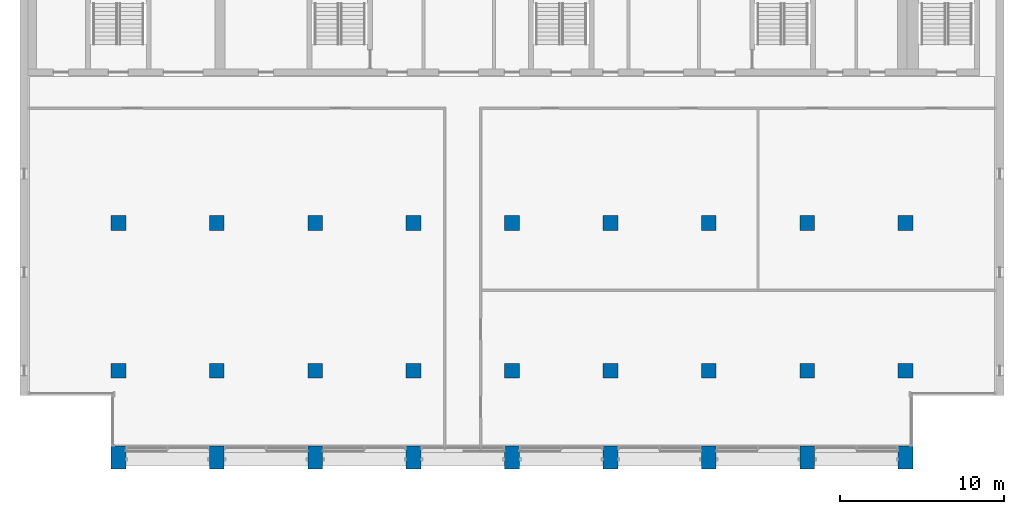
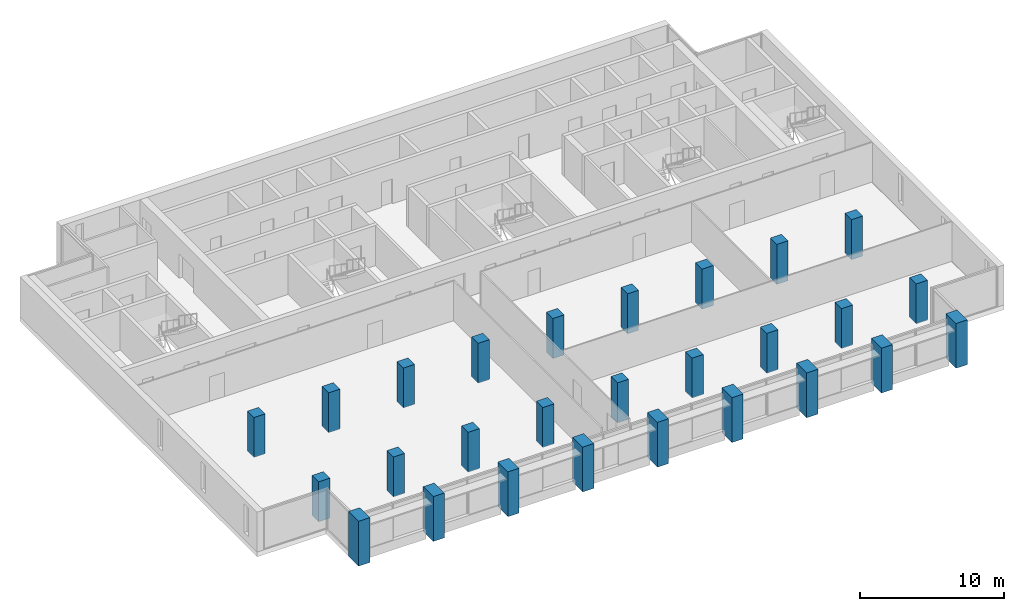
# One storey, part 1 of 14: 27 columns.
"""IFC4 building model written with IfcOpenShell, lengths in metres."""

from ifc_helpers import new_model, si_unit, direction, frame, origin, origin_2d, place, context, subcontext, project, spatial, rectangle, extrude, material, material_profile, profile_set, type_object, element, save


model = new_model("IFC4")

# Units and contexts
model_context = context("Model", 3, precision=1e-05, world=origin(), true_north=direction((0.0, 1.0)))
body_context = subcontext(model_context, "Body", "Model", "MODEL_VIEW")
ifc_project = project(units=[si_unit("LENGTHUNIT", "METRE"), si_unit("AREAUNIT", "SQUARE_METRE"), si_unit("VOLUMEUNIT", "CUBIC_METRE"), si_unit("PLANEANGLEUNIT", "RADIAN"), si_unit("MASSUNIT", "GRAM", prefix="KILO")], contexts=[model_context])

# Site, building, storey
site_placement = place(None, origin())
site = spatial("IfcSite", under=ifc_project, at=site_placement, CompositionType="ELEMENT")
building_placement = place(site_placement, origin())
building = spatial("IfcBuilding", under=site, at=building_placement, Name="Calvaro Tower", CompositionType="ELEMENT")
storey_placement = place(building_placement, frame((0.0, 0.0, 243.14990234375)))
storey = spatial("IfcBuildingStorey", under=building, at=storey_placement, Name="L61", CompositionType="ELEMENT", Elevation=243.14990234375)

# Columns
ifc_material_1 = material(Name="Concrete C40/50", Category="concrete")
ifc_material_profile_1 = material_profile(ifc_material_1, rectangle(XDim=0.89990234375, YDim=0.89990234375, at=origin_2d()), Name="RC 900x900")
ifc_profile_set_1 = profile_set([ifc_material_profile_1], Name="Concrete C40/50")
column_type_1 = type_object("IfcColumnType", Name="Column 900x900 C40/50", PredefinedType="COLUMN", material=ifc_profile_set_1)
for number, where, z_axis, x_axis, name in (
    (1, (12.0, 10.0, 0.0), (0.0, 0.0, 1.0), (1.0, 0.0, 0.0), "Column 3B"),
    (2, (12.0, 19.0, 0.0), (0.0, 0.0, 1.0), (1.0, 0.0, 0.0), "Column 3C"),
    (3, (18.0, 10.0, 0.0), (0.0, 0.0, 1.0), (1.0, 0.0, 0.0), "Column 4B"),
    (4, (18.0, 19.0, 0.0), (0.0, 0.0, 1.0), (1.0, 0.0, 0.0), "Column 4C"),
    (5, (24.0, 10.0, 0.0), (0.0, 0.0, 1.0), (1.0, 0.0, 0.0), "Column 5B"),
    (6, (24.0, 19.0, 0.0), (0.0, 0.0, 1.0), (1.0, 0.0, 0.0), "Column 5C"),
    (7, (30.0, 10.0, 0.0), (0.0, 0.0, 1.0), (1.0, 0.0, 0.0), "Column 6B"),
    (8, (30.0, 19.0, 0.0), (0.0, 0.0, 1.0), (1.0, 0.0, 0.0), "Column 6C"),
    (9, (36.0, 10.0, 0.0), (0.0, 0.0, 1.0), (1.0, 0.0, 0.0), "Column 7B"),
    (10, (36.0, 19.0, 0.0), (0.0, 0.0, 1.0), (1.0, 0.0, 0.0), "Column 7C"),
    (11, (42.0, 10.0, 0.0), (0.0, 0.0, 1.0), (1.0, 0.0, 0.0), "Column 8B"),
    (12, (42.0, 19.0, 0.0), (0.0, 0.0, 1.0), (1.0, 0.0, 0.0), "Column 8C"),
    (13, (48.0, 10.0, 0.0), (0.0, 0.0, 1.0), (1.0, 0.0, 0.0), "Column 9B"),
    (14, (48.0, 19.0, 0.0), (0.0, 0.0, 1.0), (1.0, 0.0, 0.0), "Column 9C"),
    (15, (54.0, 10.0, 0.0), (0.0, 0.0, 1.0), (1.0, 0.0, 0.0), "Column 10B"),
    (16, (54.0, 19.0, 0.0), (0.0, 0.0, 1.0), (1.0, 0.0, 0.0), "Column 10C"),
    (17, (60.0, 10.0, 0.0), (0.0, 0.0, 1.0), (1.0, 0.0, 0.0), "Column 11B"),
    (18, (60.0, 19.0, 0.0), (0.0, 0.0, 1.0), (1.0, 0.0, 0.0), "Column 11C"),
):
    element("IfcColumn", number, at=place(storey_placement, frame(where, z_axis=z_axis, x_axis=x_axis)), inside=storey, type_object=column_type_1, Name=name, PredefinedType="COLUMN", context=body_context, shape_type="SweptSolid", body=[
        extrude(rectangle(XDim=0.89990234375, YDim=0.89990234375, at=origin_2d()), origin(), (0.0, 0.0, 1.0), 3.400146484375),
    ])
ifc_material_2 = material(Name="Concrete C40/50", Category="concrete")
ifc_material_profile_2 = material_profile(ifc_material_2, rectangle(XDim=0.89990234375, YDim=1.39990234375, at=origin_2d()), Name="RC 900x1400")
ifc_profile_set_2 = profile_set([ifc_material_profile_2], Name="Concrete C40/50")
column_type_2 = type_object("IfcColumnType", Name="Pier 900x1400 C40/50", PredefinedType="COLUMN", material=ifc_profile_set_2)
for number, where, z_axis, x_axis, name in (
    (19, (12.0, 4.699951171875, -0.39990234375), (0.0, 0.0, 1.0), (1.0, 0.0, 0.0), "South pier 3"),
    (20, (18.0, 4.699951171875, -0.39990234375), (0.0, 0.0, 1.0), (1.0, 0.0, 0.0), "South pier 4"),
    (21, (24.0, 4.699951171875, -0.39990234375), (0.0, 0.0, 1.0), (1.0, 0.0, 0.0), "South pier 5"),
    (22, (30.0, 4.699951171875, -0.39990234375), (0.0, 0.0, 1.0), (1.0, 0.0, 0.0), "South pier 6"),
    (23, (36.0, 4.699951171875, -0.39990234375), (0.0, 0.0, 1.0), (1.0, 0.0, 0.0), "South pier 7"),
    (24, (42.0, 4.699951171875, -0.39990234375), (0.0, 0.0, 1.0), (1.0, 0.0, 0.0), "South pier 8"),
    (25, (48.0, 4.699951171875, -0.39990234375), (0.0, 0.0, 1.0), (1.0, 0.0, 0.0), "South pier 9"),
    (26, (54.0, 4.699951171875, -0.39990234375), (0.0, 0.0, 1.0), (1.0, 0.0, 0.0), "South pier 10"),
    (27, (60.0, 4.699951171875, -0.39990234375), (0.0, 0.0, 1.0), (1.0, 0.0, 0.0), "South pier 11"),
):
    element("IfcColumn", number, at=place(storey_placement, frame(where, z_axis=z_axis, x_axis=x_axis)), inside=storey, type_object=column_type_2, Name=name, PredefinedType="COLUMN", context=body_context, shape_type="SweptSolid", body=[
        extrude(rectangle(XDim=0.89990234375, YDim=1.39990234375, at=origin_2d()), origin(), (0.0, 0.0, 1.0), 3.800048828125),
    ])

save(model, "model.ifc")
